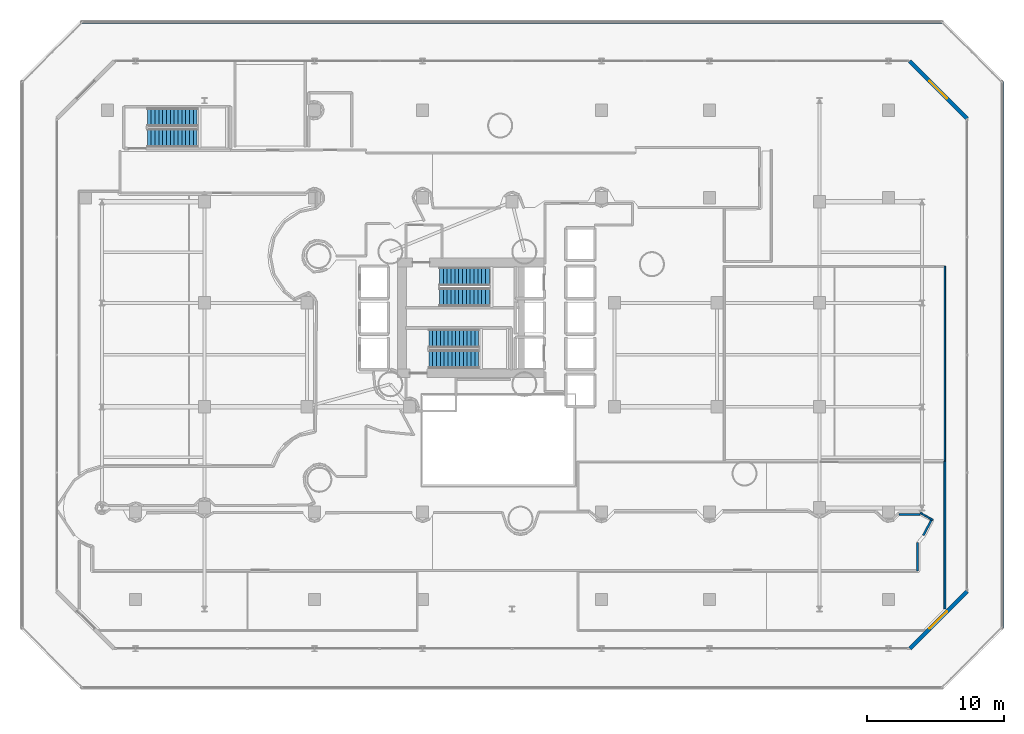
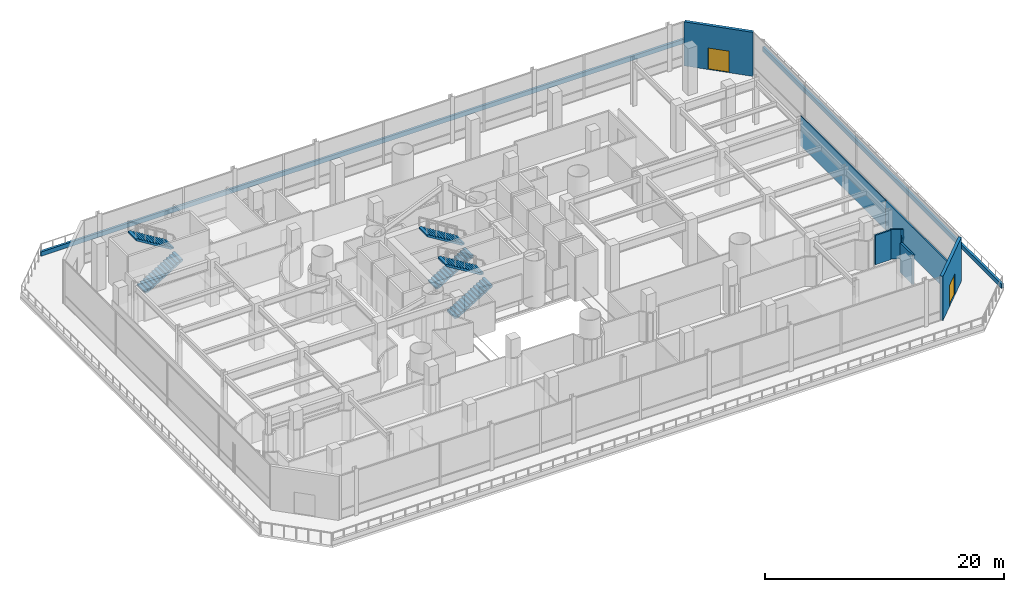
# One storey, part 30 of 39: 10 walls, 6 stair flights, 2 doors, 2 openings, 3 elements without a shape of their own.
"""IFC4 building model written with IfcOpenShell, lengths in metres."""

from ifc_helpers import new_model, si_unit, direction, frame, frame_2d, origin, place, context, subcontext, project, spatial, polyline, rectangle, outline, extrude, material, layer, layer_set, type_object, element, fill, aggregate, save


model = new_model("IFC4")

# Units and contexts
model_context = context("Model", 3, precision=1e-05, world=origin(), true_north=direction((0.0, 1.0)))
body_context = subcontext(model_context, "Body", "Model", "MODEL_VIEW")
ifc_project = project(units=[si_unit("LENGTHUNIT", "METRE"), si_unit("AREAUNIT", "SQUARE_METRE"), si_unit("VOLUMEUNIT", "CUBIC_METRE"), si_unit("PLANEANGLEUNIT", "RADIAN"), si_unit("MASSUNIT", "GRAM", prefix="KILO")], contexts=[model_context])

# Site, building, storey
site_placement = place(None, origin())
site = spatial("IfcSite", under=ifc_project, at=site_placement, CompositionType="ELEMENT")
building_placement = place(site_placement, origin())
building = spatial("IfcBuilding", under=site, at=building_placement, Name="Qianvela Tower", CompositionType="ELEMENT")
storey_placement = place(building_placement, frame((0.0, 0.0, 15.800048828125)))
storey = spatial("IfcBuildingStorey", under=building, at=storey_placement, Name="L03", CompositionType="ELEMENT", Elevation=15.800048828125)

# Wall, opening, door
ifc_material_1 = material(Name="Terracotta Cladding on Concrete C40", Category="masonry")
ifc_layer_1 = layer(ifc_material_1, 0.280029296875)
ifc_layer_set_1 = layer_set([ifc_layer_1], Name="Terracotta Cladding on Concrete C40")
wall_type_1 = type_object("IfcWallType", Name="TERRACOTTA-WALL-280", PredefinedType="SOLIDWALL", material=ifc_layer_set_1)
wall_1_placement = place(storey_placement, frame((66.60009765625, 4.5, 0.0), z_axis=(0.0, 0.0, 1.0), x_axis=(0.707106781187, 0.707106781187, 0.0)))
wall_1 = element("IfcWall", 1, at=wall_1_placement, inside=storey, type_object=wall_type_1, Name="L03 Terracotta Corner Wall 2", PredefinedType="SOLIDWALL", context=body_context, shape_type="SweptSolid", body=[
    extrude(rectangle(XDim=5.939697265625, YDim=0.280029296875, at=frame_2d((2.9697265625, 0.0))), origin(), (0.0, 0.0, 1.0), 4.5),
])
opening_1_placement = place(wall_1_placement, frame((2.06982421875, 0.0, 0.0)))
opening_1 = element("IfcOpeningElement", 2, at=opening_1_placement, cuts=wall_1, Name="Opening ED-02", PredefinedType="OPENING", context=body_context, shape_type="SweptSolid", body=[
    extrude(rectangle(XDim=1.800048828125, YDim=2.199951171875, at=frame_2d((0.89990234375, 1.10009765625))), frame((0.0, 0.14990234375, 0.0), z_axis=(0.0, -1.0, 0.0), x_axis=(1.0, 0.0, 0.0)), (0.0, 0.0, 1.0), 0.300048828125),
])
ifc_material_2 = material(Name="Thermally Broken Anodised Aluminium and Low-E Glass", Category="aluminium")
door_type = type_object("IfcDoorType", Name="DT-EXT-TERR-1800", OperationType="DOUBLE_DOOR_SINGLE_SWING", PredefinedType="DOOR", material=ifc_material_2)
door_1_placement = place(opening_1_placement, origin())
door_1 = element("IfcDoor", 3, at=door_1_placement, inside=storey, type_object=door_type, Name="L03 Terrace Access Door 2", OperationType="DOUBLE_DOOR_SINGLE_SWING", OverallHeight=2.199951171875, OverallWidth=1.800048828125, PredefinedType="DOOR", context=body_context, shape_type="SweptSolid", body=[
    extrude(rectangle(XDim=1.800048828125, YDim=2.199951171875, at=frame_2d((0.89990234375, 1.10009765625))), frame((0.0, 0.02490234375, 0.0), z_axis=(0.0, -1.0, 0.0), x_axis=(1.0, 0.0, 0.0)), (0.0, 0.0, 1.0), 0.050048828125),
])
fill(opening_1, door_1)

wall_2_placement = place(storey_placement, frame((70.800048828125, 43.300048828125, 0.0), z_axis=(0.0, 0.0, 1.0), x_axis=(-0.707106781187, 0.707106781187, 0.0)))
wall_2 = element("IfcWall", 4, at=wall_2_placement, inside=storey, type_object=wall_type_1, Name="L03 Terracotta Corner Wall 4", PredefinedType="SOLIDWALL", context=body_context, shape_type="SweptSolid", body=[
    extrude(rectangle(XDim=5.939697265625, YDim=0.280029296875, at=frame_2d((2.9697265625, 0.0))), origin(), (0.0, 0.0, 1.0), 4.5),
])
opening_2_placement = place(wall_2_placement, frame((2.06982421875, 0.0, 0.0)))
opening_2 = element("IfcOpeningElement", 5, at=opening_2_placement, cuts=wall_2, Name="Opening ED-02", PredefinedType="OPENING", context=body_context, shape_type="SweptSolid", body=[
    extrude(rectangle(XDim=1.800048828125, YDim=2.199951171875, at=frame_2d((0.89990234375, 1.10009765625))), frame((0.0, 0.14990234375, 0.0), z_axis=(0.0, -1.0, 0.0), x_axis=(1.0, 0.0, 0.0)), (0.0, 0.0, 1.0), 0.300048828125),
])
door_2_placement = place(opening_2_placement, origin())
door_2 = element("IfcDoor", 6, at=door_2_placement, inside=storey, type_object=door_type, Name="L03 Terrace Access Door 4", OperationType="DOUBLE_DOOR_SINGLE_SWING", OverallHeight=2.199951171875, OverallWidth=1.800048828125, PredefinedType="DOOR", context=body_context, shape_type="SweptSolid", body=[
    extrude(rectangle(XDim=1.800048828125, YDim=2.199951171875, at=frame_2d((0.89990234375, 1.10009765625))), frame((0.0, 0.02490234375, 0.0), z_axis=(0.0, -1.0, 0.0), x_axis=(1.0, 0.0, 0.0)), (0.0, 0.0, 1.0), 0.050048828125),
])
fill(opening_2, door_2)

# Walls
ifc_material_3 = material(Name="Fire-Rated Acoustic Gypsum Board")
ifc_layer_2 = layer(ifc_material_3, 0.14990234375)
ifc_layer_set_2 = layer_set([ifc_layer_2], Name="Fire-Rated Acoustic Gypsum Board")
wall_type_2 = type_object("IfcWallType", Name="WT-CORR-150", PredefinedType="PARTITIONING", material=ifc_layer_set_2)
wall_3_placement = place(storey_placement, frame((65.820556640625, 14.3154296875, 0.0), z_axis=(0.0, 0.0, 1.0), x_axis=(0.99999673472, 0.002555493971, 0.0)))
element("IfcWall", 7, at=wall_3_placement, inside=storey, type_object=wall_type_2, Name="L03 Partition 81", PredefinedType="PARTITIONING", context=body_context, shape_type="SweptSolid", body=[
    extrude(rectangle(XDim=1.528564453125, YDim=0.14990234375, at=frame_2d((0.76416015625, 0.0))), origin(), (0.0, 0.0, 1.0), 3.02001953125),
])
wall_4_placement = place(storey_placement, frame((68.18798828125, 13.90185546875, 0.0), z_axis=(0.0, 0.0, 1.0), x_axis=(-0.471494358331, -0.88186907762, 0.0)))
element("IfcWall", 8, at=wall_4_placement, inside=storey, type_object=wall_type_2, Name="L03 Partition 83", PredefinedType="PARTITIONING", context=body_context, shape_type="SweptSolid", body=[
    extrude(rectangle(XDim=1.25830078125, YDim=0.14990234375, at=frame_2d((0.629150390625, 0.0))), origin(), (0.0, 0.0, 1.0), 3.02001953125),
])
wall_5_placement = place(storey_placement, frame((67.1689453125, 12.27783203125, 0.0), z_axis=(0.0, 0.0, 1.0), x_axis=(0.0, -1.0, 0.0)))
element("IfcWall", 9, at=wall_5_placement, inside=storey, type_object=wall_type_2, Name="L03 Partition 84", PredefinedType="PARTITIONING", context=body_context, shape_type="SweptSolid", body=[
    extrude(rectangle(XDim=2.077880859375, YDim=0.14990234375, at=frame_2d((1.0390625, 0.0))), origin(), (0.0, 0.0, 1.0), 3.02001953125),
])
ifc_material_4 = material(Name="Terracotta Coping on Concrete C40", Category="masonry")
ifc_layer_3 = layer(ifc_material_4, 0.219970703125)
ifc_layer_set_3 = layer_set([ifc_layer_3], Name="Terracotta Coping on Concrete C40")
wall_type_3 = type_object("IfcWallType", Name="WT-PARAPET-220", PredefinedType="PARAPET", material=ifc_layer_set_3)
wall_6_placement = place(storey_placement, frame((73.35009765625, 6.0, 0.0), z_axis=(0.0, 0.0, 1.0), x_axis=(0.0, 1.0, 0.0)))
element("IfcWall", 10, at=wall_6_placement, inside=storey, type_object=wall_type_3, Name="L03 Terrace Upstand Parapet 3", PredefinedType="PARAPET", context=body_context, shape_type="SweptSolid", body=[
    extrude(rectangle(XDim=40.0, YDim=0.219970703125, at=frame_2d((20.0, 0.0))), origin(), (0.0, 0.0, 1.0), 0.449951171875),
])
wall_7_placement = place(storey_placement, frame((69.0, 50.35009765625, 0.0), z_axis=(0.0, 0.0, 1.0), x_axis=(-1.0, 0.0, 0.0)))
element("IfcWall", 11, at=wall_7_placement, inside=storey, type_object=wall_type_3, Name="L03 Terrace Upstand Parapet 5", PredefinedType="PARAPET", context=body_context, shape_type="SweptSolid", body=[
    extrude(rectangle(XDim=63.0, YDim=0.219970703125, at=frame_2d((31.5, 0.0))), origin(), (0.0, 0.0, 1.0), 0.449951171875),
])
ifc_material_5 = material(Name="Lightweight Gypsum Room Partition")
ifc_layer_4 = layer(ifc_material_5, 0.10498046875)
ifc_layer_set_4 = layer_set([ifc_layer_4], Name="Lightweight Gypsum Room Partition")
wall_type_4 = type_object("IfcWallType", Name="WT-PART-105", PredefinedType="PARTITIONING", material=ifc_layer_set_4)
wall_8_placement = place(storey_placement, frame((69.1689453125, 32.5, 0.0), z_axis=(0.0, 0.0, 1.0), x_axis=(0.0, -1.0, 0.0)))
element("IfcWall", 12, at=wall_8_placement, inside=storey, type_object=wall_type_4, Name="L03 Partition 229 seg 1", PredefinedType="PARTITIONING", context=body_context, shape_type="SweptSolid", body=[
    extrude(rectangle(XDim=14.238037109375, YDim=0.10498046875, at=frame_2d((7.119140625, 0.0))), origin(), (0.0, 0.0, 1.0), 3.02001953125),
])
ifc_material_6 = material(Name="Insulated Gypsum Stud Partition")
ifc_layer_5 = layer(ifc_material_6, 0.1201171875)
ifc_layer_set_5 = layer_set([ifc_layer_5], Name="Insulated Gypsum Stud Partition")
wall_type_5 = type_object("IfcWallType", Name="WT-PART-120", PredefinedType="PARTITIONING", material=ifc_layer_set_5)
wall_9_placement = place(storey_placement, frame((68.29248046875, 13.914306640625, 0.0), z_axis=(0.0, 0.0, 1.0), x_axis=(-0.870515939283, 0.492140223365, 0.0)))
element("IfcWall", 13, at=wall_9_placement, inside=storey, type_object=wall_type_5, Name="L03 Partition 210", PredefinedType="PARTITIONING", context=body_context, shape_type="SweptSolid", body=[
    extrude(rectangle(XDim=1.066650390625, YDim=0.1201171875, at=frame_2d((0.533203125, 0.0))), origin(), (0.0, 0.0, 1.0), 3.02001953125),
])
ifc_material_7 = material(Name="Acoustic Double Gypsum Stud Partition")
ifc_layer_6 = layer(ifc_material_7, 0.139892578125)
ifc_layer_set_6 = layer_set([ifc_layer_6], Name="Acoustic Double Gypsum Stud Partition")
wall_type_6 = type_object("IfcWallType", Name="WT-ROOM-140", PredefinedType="PARTITIONING", material=ifc_layer_set_6)
wall_10_placement = place(storey_placement, frame((69.1689453125, 18.199951171875, 0.0), z_axis=(0.0, 0.0, 1.0), x_axis=(0.0, -1.0, 0.0)))
element("IfcWall", 14, at=wall_10_placement, inside=storey, type_object=wall_type_6, Name="L03 Partition 203", PredefinedType="PARTITIONING", context=body_context, shape_type="SweptSolid", body=[
    extrude(rectangle(XDim=10.796142578125, YDim=0.139892578125, at=frame_2d((5.39794921875, 0.0))), origin(), (0.0, 0.0, 1.0), 3.02001953125),
])

# Stair, stair flights
ifc_material_8 = material(Name="Concrete C40", Category="concrete")
stair_type = type_object("IfcStairType", Name="ST-DOGLEG-1350-R171-N28", PredefinedType="HALF_TURN_STAIR", material=ifc_material_8)
stair_1_placement = place(storey_placement, origin())
stair_1 = element("IfcStair", 15, at=stair_1_placement, inside=storey, type_object=stair_type, Name="L03 Smoke-Proof Core Stair ST-1", PredefinedType="HALF_TURN_STAIR")
ifc_material_9 = material(Name="Concrete C40", Category="concrete")
stair_flight_type = type_object("IfcStairFlightType", Name="STF-STRAIGHT-R171-P14", PredefinedType="STRAIGHT", material=ifc_material_9)
stair_flight_1_placement = place(storey_placement, frame((32.199951171875, 30.215087890625, 0.0), z_axis=(0.0, 0.0, 1.0), x_axis=(1.0, 0.0, 0.0)))
stair_flight_1 = element("IfcStairFlight", 16, at=stair_flight_1_placement, type_object=stair_flight_type, Name="ST-1 flight 1", NumberOfRisers=14, NumberOfTreads=13, PredefinedType="STRAIGHT", RiserHeight=0.171428571, TreadLength=0.28, context=body_context, shape_type="SweptSolid", body=[
    extrude(outline(polyline([(0.0, 0.0), (0.0, 0.17138671875), (0.280029296875, 0.17138671875), (0.280029296875, 0.3427734375), (0.56005859375, 0.3427734375), (0.56005859375, 0.514404296875), (0.840087890625, 0.514404296875), (0.840087890625, 0.685791015625), (1.1201171875, 0.685791015625), (1.1201171875, 0.857177734375), (1.39990234375, 0.857177734375), (1.39990234375, 1.028564453125), (1.679931640625, 1.028564453125), (1.679931640625, 1.199951171875), (1.9599609375, 1.199951171875), (1.9599609375, 1.371337890625), (2.239990234375, 1.371337890625), (2.239990234375, 1.54296875), (2.52001953125, 1.54296875), (2.52001953125, 1.71435546875), (2.800048828125, 1.71435546875), (2.800048828125, 1.8857421875), (3.080078125, 1.8857421875), (3.080078125, 2.05712890625), (3.360107421875, 2.05712890625), (3.360107421875, 2.228515625), (3.639892578125, 2.228515625), (3.639892578125, 2.39990234375), (3.639892578125, 2.052734375), (0.287109375, 0.0), (0.0, 0.0)])), frame((0.0, 0.675048828125, 0.0), z_axis=(0.0, -1.0, 0.0), x_axis=(1.0, 0.0, 0.0)), (0.0, 0.0, 1.0), 1.35009765625),
])
stair_flight_2_placement = place(storey_placement, frame((35.840087890625, 31.72509765625, 2.39990234375), z_axis=(0.0, 0.0, 1.0), x_axis=(-1.0, 0.0, 0.0)))
stair_flight_2 = element("IfcStairFlight", 17, at=stair_flight_2_placement, type_object=stair_flight_type, Name="ST-1 flight 2", NumberOfRisers=14, NumberOfTreads=13, PredefinedType="STRAIGHT", RiserHeight=0.171428571, TreadLength=0.28, context=body_context, shape_type="SweptSolid", body=[
    extrude(outline(polyline([(0.0, 0.0), (0.0, 0.17138671875), (0.280029296875, 0.17138671875), (0.280029296875, 0.3427734375), (0.56005859375, 0.3427734375), (0.56005859375, 0.514404296875), (0.840087890625, 0.514404296875), (0.840087890625, 0.685791015625), (1.1201171875, 0.685791015625), (1.1201171875, 0.857177734375), (1.39990234375, 0.857177734375), (1.39990234375, 1.028564453125), (1.679931640625, 1.028564453125), (1.679931640625, 1.199951171875), (1.9599609375, 1.199951171875), (1.9599609375, 1.371337890625), (2.239990234375, 1.371337890625), (2.239990234375, 1.54296875), (2.52001953125, 1.54296875), (2.52001953125, 1.71435546875), (2.800048828125, 1.71435546875), (2.800048828125, 1.8857421875), (3.080078125, 1.8857421875), (3.080078125, 2.05712890625), (3.360107421875, 2.05712890625), (3.360107421875, 2.228515625), (3.639892578125, 2.228515625), (3.639892578125, 2.39990234375), (3.639892578125, 2.052734375), (0.287109375, 0.0), (0.0, 0.0)])), frame((0.0, 0.675048828125, 0.0), z_axis=(0.0, -1.0, 0.0), x_axis=(1.0, 0.0, 0.0)), (0.0, 0.0, 1.0), 1.35009765625),
])
aggregate(stair_1, [stair_flight_1, stair_flight_2])

stair_2_placement = place(storey_placement, origin())
stair_2 = element("IfcStair", 18, at=stair_2_placement, inside=storey, type_object=stair_type, Name="L03 Smoke-Proof Core Stair ST-2", PredefinedType="HALF_TURN_STAIR")
stair_flight_3_placement = place(storey_placement, frame((31.419921875, 25.675048828125, 0.0), z_axis=(0.0, 0.0, 1.0), x_axis=(1.0, 0.0, 0.0)))
stair_flight_3 = element("IfcStairFlight", 19, at=stair_flight_3_placement, type_object=stair_flight_type, Name="ST-2 flight 1", NumberOfRisers=14, NumberOfTreads=13, PredefinedType="STRAIGHT", RiserHeight=0.171428571, TreadLength=0.28, context=body_context, shape_type="SweptSolid", body=[
    extrude(outline(polyline([(0.0, 0.0), (0.0, 0.17138671875), (0.280029296875, 0.17138671875), (0.280029296875, 0.3427734375), (0.56005859375, 0.3427734375), (0.56005859375, 0.514404296875), (0.840087890625, 0.514404296875), (0.840087890625, 0.685791015625), (1.1201171875, 0.685791015625), (1.1201171875, 0.857177734375), (1.39990234375, 0.857177734375), (1.39990234375, 1.028564453125), (1.679931640625, 1.028564453125), (1.679931640625, 1.199951171875), (1.9599609375, 1.199951171875), (1.9599609375, 1.371337890625), (2.239990234375, 1.371337890625), (2.239990234375, 1.54296875), (2.52001953125, 1.54296875), (2.52001953125, 1.71435546875), (2.800048828125, 1.71435546875), (2.800048828125, 1.8857421875), (3.080078125, 1.8857421875), (3.080078125, 2.05712890625), (3.360107421875, 2.05712890625), (3.360107421875, 2.228515625), (3.639892578125, 2.228515625), (3.639892578125, 2.39990234375), (3.639892578125, 2.052734375), (0.287109375, 0.0), (0.0, 0.0)])), frame((0.0, 0.675048828125, 0.0), z_axis=(0.0, -1.0, 0.0), x_axis=(1.0, 0.0, 0.0)), (0.0, 0.0, 1.0), 1.35009765625),
])
stair_flight_4_placement = place(storey_placement, frame((35.06005859375, 27.18505859375, 2.39990234375), z_axis=(0.0, 0.0, 1.0), x_axis=(-1.0, 0.0, 0.0)))
stair_flight_4 = element("IfcStairFlight", 20, at=stair_flight_4_placement, type_object=stair_flight_type, Name="ST-2 flight 2", NumberOfRisers=14, NumberOfTreads=13, PredefinedType="STRAIGHT", RiserHeight=0.171428571, TreadLength=0.28, context=body_context, shape_type="SweptSolid", body=[
    extrude(outline(polyline([(0.0, 0.0), (0.0, 0.17138671875), (0.280029296875, 0.17138671875), (0.280029296875, 0.3427734375), (0.56005859375, 0.3427734375), (0.56005859375, 0.514404296875), (0.840087890625, 0.514404296875), (0.840087890625, 0.685791015625), (1.1201171875, 0.685791015625), (1.1201171875, 0.857177734375), (1.39990234375, 0.857177734375), (1.39990234375, 1.028564453125), (1.679931640625, 1.028564453125), (1.679931640625, 1.199951171875), (1.9599609375, 1.199951171875), (1.9599609375, 1.371337890625), (2.239990234375, 1.371337890625), (2.239990234375, 1.54296875), (2.52001953125, 1.54296875), (2.52001953125, 1.71435546875), (2.800048828125, 1.71435546875), (2.800048828125, 1.8857421875), (3.080078125, 1.8857421875), (3.080078125, 2.05712890625), (3.360107421875, 2.05712890625), (3.360107421875, 2.228515625), (3.639892578125, 2.228515625), (3.639892578125, 2.39990234375), (3.639892578125, 2.052734375), (0.287109375, 0.0), (0.0, 0.0)])), frame((0.0, 0.675048828125, 0.0), z_axis=(0.0, -1.0, 0.0), x_axis=(1.0, 0.0, 0.0)), (0.0, 0.0, 1.0), 1.35009765625),
])
aggregate(stair_2, [stair_flight_3, stair_flight_4])

stair_3_placement = place(storey_placement, origin())
stair_3 = element("IfcStair", 21, at=stair_3_placement, inside=storey, type_object=stair_type, Name="L03 Smoke-Proof Core Stair ST-3", PredefinedType="HALF_TURN_STAIR")
stair_flight_5_placement = place(storey_placement, frame((10.820068359375, 41.875, 0.0), z_axis=(0.0, 0.0, 1.0), x_axis=(1.0, 0.0, 0.0)))
stair_flight_5 = element("IfcStairFlight", 22, at=stair_flight_5_placement, type_object=stair_flight_type, Name="ST-3 flight 1", NumberOfRisers=14, NumberOfTreads=13, PredefinedType="STRAIGHT", RiserHeight=0.171428571, TreadLength=0.28, context=body_context, shape_type="SweptSolid", body=[
    extrude(outline(polyline([(0.0, 0.0), (0.0, 0.17138671875), (0.280029296875, 0.17138671875), (0.280029296875, 0.3427734375), (0.56005859375, 0.3427734375), (0.56005859375, 0.514404296875), (0.840087890625, 0.514404296875), (0.840087890625, 0.685791015625), (1.1201171875, 0.685791015625), (1.1201171875, 0.857177734375), (1.39990234375, 0.857177734375), (1.39990234375, 1.028564453125), (1.679931640625, 1.028564453125), (1.679931640625, 1.199951171875), (1.9599609375, 1.199951171875), (1.9599609375, 1.371337890625), (2.239990234375, 1.371337890625), (2.239990234375, 1.54296875), (2.52001953125, 1.54296875), (2.52001953125, 1.71435546875), (2.800048828125, 1.71435546875), (2.800048828125, 1.8857421875), (3.080078125, 1.8857421875), (3.080078125, 2.05712890625), (3.360107421875, 2.05712890625), (3.360107421875, 2.228515625), (3.639892578125, 2.228515625), (3.639892578125, 2.39990234375), (3.639892578125, 2.052734375), (0.287109375, 0.0), (0.0, 0.0)])), frame((0.0, 0.675048828125, 0.0), z_axis=(0.0, -1.0, 0.0), x_axis=(1.0, 0.0, 0.0)), (0.0, 0.0, 1.0), 1.35009765625),
])
stair_flight_6_placement = place(storey_placement, frame((14.4599609375, 43.385009765625, 2.39990234375), z_axis=(0.0, 0.0, 1.0), x_axis=(-1.0, 0.0, 0.0)))
stair_flight_6 = element("IfcStairFlight", 23, at=stair_flight_6_placement, type_object=stair_flight_type, Name="ST-3 flight 2", NumberOfRisers=14, NumberOfTreads=13, PredefinedType="STRAIGHT", RiserHeight=0.171428571, TreadLength=0.28, context=body_context, shape_type="SweptSolid", body=[
    extrude(outline(polyline([(0.0, 0.0), (0.0, 0.17138671875), (0.280029296875, 0.17138671875), (0.280029296875, 0.3427734375), (0.56005859375, 0.3427734375), (0.56005859375, 0.514404296875), (0.840087890625, 0.514404296875), (0.840087890625, 0.685791015625), (1.1201171875, 0.685791015625), (1.1201171875, 0.857177734375), (1.39990234375, 0.857177734375), (1.39990234375, 1.028564453125), (1.679931640625, 1.028564453125), (1.679931640625, 1.199951171875), (1.9599609375, 1.199951171875), (1.9599609375, 1.371337890625), (2.239990234375, 1.371337890625), (2.239990234375, 1.54296875), (2.52001953125, 1.54296875), (2.52001953125, 1.71435546875), (2.800048828125, 1.71435546875), (2.800048828125, 1.8857421875), (3.080078125, 1.8857421875), (3.080078125, 2.05712890625), (3.360107421875, 2.05712890625), (3.360107421875, 2.228515625), (3.639892578125, 2.228515625), (3.639892578125, 2.39990234375), (3.639892578125, 2.052734375), (0.287109375, 0.0), (0.0, 0.0)])), frame((0.0, 0.675048828125, 0.0), z_axis=(0.0, -1.0, 0.0), x_axis=(1.0, 0.0, 0.0)), (0.0, 0.0, 1.0), 1.35009765625),
])
aggregate(stair_3, [stair_flight_5, stair_flight_6])

save(model, "model.ifc")
